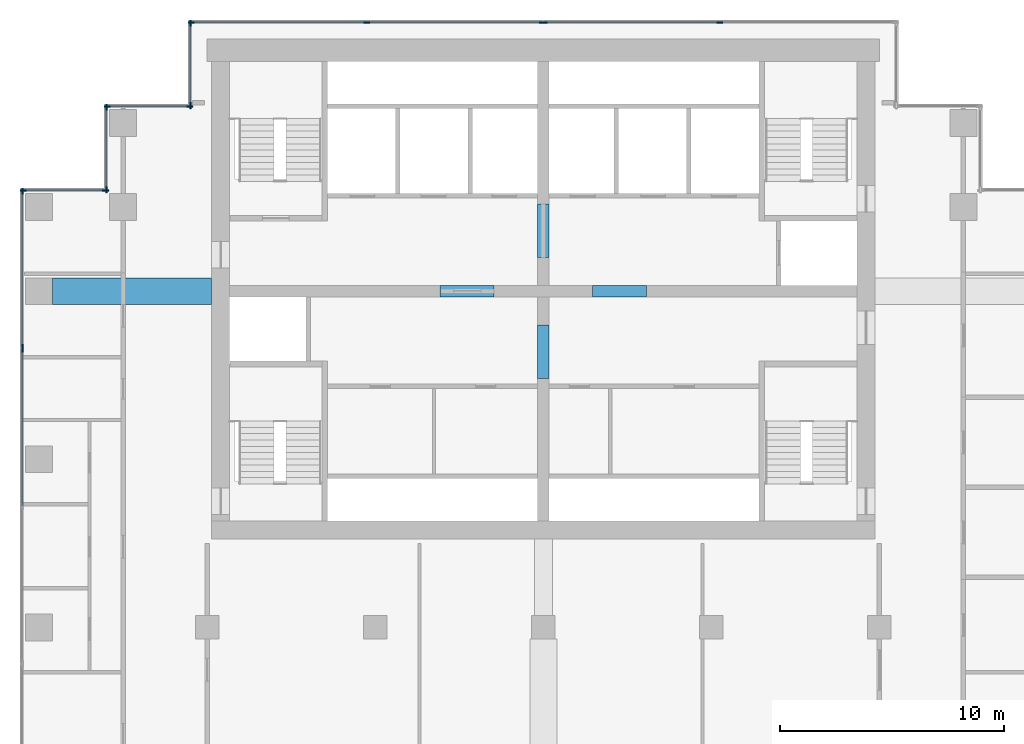
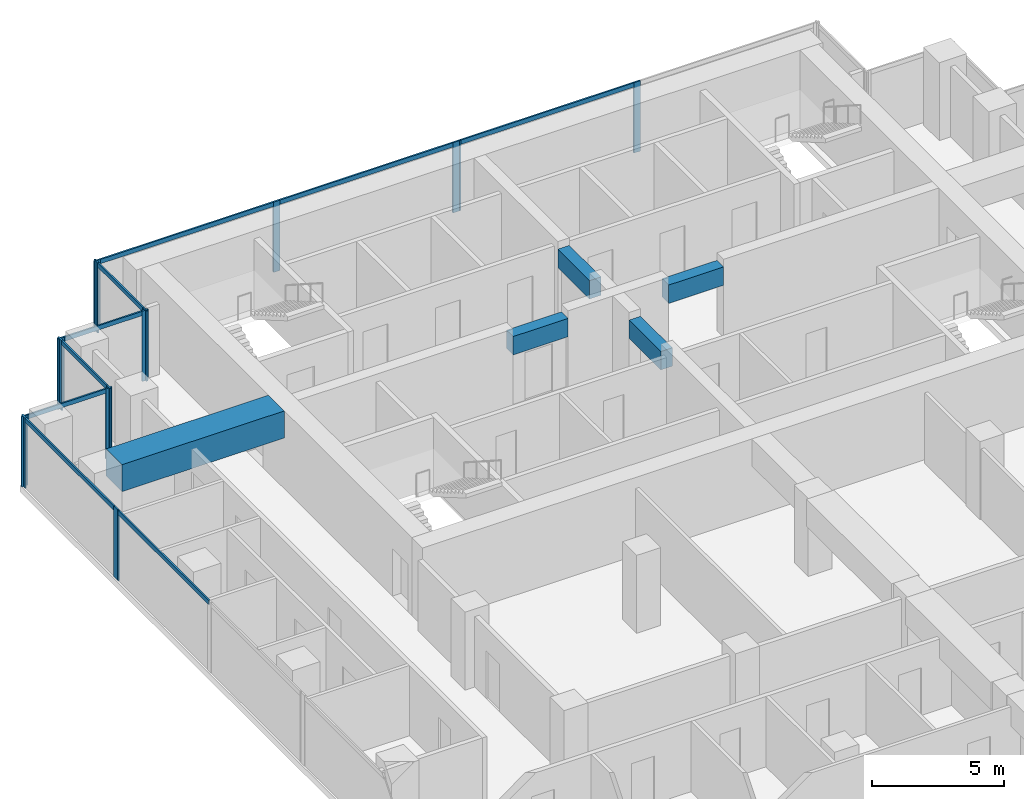
# One storey, part 4 of 10: 25 members, 5 beams, 8 elements without a shape of their own.
"""IFC4 building model written with IfcOpenShell, lengths in metres."""

from ifc_helpers import new_model, si_unit, direction, frame, origin, origin_2d, place, context, subcontext, project, spatial, rectangle, extrude, material, material_profile, profile_set, type_object, element, aggregate, save


model = new_model("IFC4")

# Units and contexts
model_context = context("Model", 3, precision=1e-05, world=origin(), true_north=direction((0.0, 1.0)))
body_context = subcontext(model_context, "Body", "Model", "MODEL_VIEW")
ifc_project = project(units=[si_unit("LENGTHUNIT", "METRE"), si_unit("AREAUNIT", "SQUARE_METRE"), si_unit("VOLUMEUNIT", "CUBIC_METRE"), si_unit("PLANEANGLEUNIT", "RADIAN"), si_unit("MASSUNIT", "GRAM", prefix="KILO")], contexts=[model_context])

# Site, building, storey
site_placement = place(None, origin())
site = spatial("IfcSite", under=ifc_project, at=site_placement, CompositionType="ELEMENT")
building_placement = place(site_placement, origin())
building = spatial("IfcBuilding", under=site, at=building_placement, Name="Pilkhan Gate Tower", CompositionType="ELEMENT")
storey_placement = place(building_placement, frame((0.0, 0.0, 180.10009765625)))
storey = spatial("IfcBuildingStorey", under=building, at=storey_placement, Name="L46", CompositionType="ELEMENT", Elevation=180.10009765625)

# Beams
ifc_material_1 = material(Name="Concrete C60/75", Category="concrete")
ifc_material_profile_1 = material_profile(ifc_material_1, rectangle(XDim=0.5, YDim=0.85009765625, at=origin_2d()), Name="RC 500x850")
ifc_profile_set_1 = profile_set([ifc_material_profile_1], Name="Concrete C60/75")
beam_type_1 = type_object("IfcBeamType", Name="Coupling beam CB85 RC 500x850 C60/75", PredefinedType="LINTEL", material=ifc_profile_set_1)
for number, where, z_axis, x_axis, name in (
    (1, (70.39990234375, 82.5, 2.824951171875), (1.0, 0.0, 0.0), (0.0, 1.0, 0.0), "Coupling beam 1 L46"),
    (2, (77.199951171875, 82.5, 2.824951171875), (1.0, 0.0, 0.0), (0.0, 1.0, 0.0), "Coupling beam 2 L46"),
):
    element("IfcBeam", number, at=place(storey_placement, frame(where, z_axis=z_axis, x_axis=x_axis)), inside=storey, type_object=beam_type_1, Name=name, PredefinedType="LINTEL", context=body_context, shape_type="SweptSolid", body=[
        extrude(rectangle(XDim=0.5, YDim=0.85009765625, at=origin_2d()), origin(), (0.0, 0.0, 1.0), 2.400146484375),
    ])
for number, where, z_axis, x_axis, name in (
    (3, (75.0, 78.60009765625, 2.824951171875), (0.0, 1.0, 0.0), (-1.0, 0.0, 0.0), "Coupling beam 3 L46"),
    (4, (75.0, 84.0, 2.824951171875), (0.0, 1.0, 0.0), (-1.0, 0.0, 0.0), "Coupling beam 4 L46"),
):
    element("IfcBeam", number, at=place(storey_placement, frame(where, z_axis=z_axis, x_axis=x_axis)), inside=storey, type_object=beam_type_1, Name=name, PredefinedType="LINTEL", context=body_context, shape_type="SweptSolid", body=[
        extrude(rectangle(XDim=0.5, YDim=0.85009765625, at=origin_2d()), origin(), (0.0, 0.0, 1.0), 2.39990234375),
    ])

# Curtain wall, members
ifc_material_2 = material(Name="Pale anodised aluminium, clear low-iron double glazing", Category="aluminium")
curtain_wall_type = type_object("IfcCurtainWallType", Name="Office unitised curtain wall CW-O1", PredefinedType="USERDEFINED", material=ifc_material_2)
curtain_wall_1_placement = place(storey_placement, origin())
curtain_wall_1 = element("IfcCurtainWall", 5, at=curtain_wall_1_placement, inside=storey, type_object=curtain_wall_type, Name="Office unitised curtain wall CW-O1 L46 N", ObjectType="UNITISED CURTAIN WALL", PredefinedType="USERDEFINED")
ifc_material_3 = material(Name="Pale anodised aluminium", Category="aluminium")
ifc_material_profile_2 = material_profile(ifc_material_3, rectangle(XDim=0.070068359375, YDim=0.27490234375, at=origin_2d()), Name="Mullion 275x70")
ifc_profile_set_2 = profile_set([ifc_material_profile_2], Name="Pale anodised aluminium")
member_type_1 = type_object("IfcMemberType", Name="Mullion CW-O1 275x70", PredefinedType="MULLION", material=ifc_profile_set_2)
member_1_placement = place(storey_placement, frame((59.284912109375, 94.5, 0.0), z_axis=(0.0, 0.0, 1.0), x_axis=(0.0, 1.0, 0.0)))
member_1 = element("IfcMember", 6, at=member_1_placement, type_object=member_type_1, Name="CW-O1 mullion 1", PredefinedType="MULLION", context=body_context, shape_type="SweptSolid", body=[
    extrude(rectangle(XDim=0.070068359375, YDim=0.27490234375, at=origin_2d()), origin(), (0.0, 0.0, 1.0), 3.25),
])
member_2_placement = place(storey_placement, frame((67.125, 94.5, 0.0), z_axis=(0.0, 0.0, 1.0), x_axis=(0.0, 1.0, 0.0)))
member_2 = element("IfcMember", 7, at=member_2_placement, type_object=member_type_1, Name="CW-O1 mullion 2", PredefinedType="MULLION", context=body_context, shape_type="SweptSolid", body=[
    extrude(rectangle(XDim=0.070068359375, YDim=0.27490234375, at=origin_2d()), origin(), (0.0, 0.0, 1.0), 3.25),
])
member_3_placement = place(storey_placement, frame((74.965087890625, 94.5, 0.0), z_axis=(0.0, 0.0, 1.0), x_axis=(0.0, 1.0, 0.0)))
member_3 = element("IfcMember", 8, at=member_3_placement, type_object=member_type_1, Name="CW-O1 mullion 3", PredefinedType="MULLION", context=body_context, shape_type="SweptSolid", body=[
    extrude(rectangle(XDim=0.070068359375, YDim=0.27490234375, at=origin_2d()), origin(), (0.0, 0.0, 1.0), 3.25),
])

curtain_wall_2_placement = place(storey_placement, origin())
curtain_wall_2 = element("IfcCurtainWall", 9, at=curtain_wall_2_placement, inside=storey, type_object=curtain_wall_type, Name="Office unitised curtain wall CW-O1 L46 N", ObjectType="UNITISED CURTAIN WALL", PredefinedType="USERDEFINED")
member_4_placement = place(storey_placement, frame((75.034912109375, 94.5, 0.0), z_axis=(0.0, 0.0, 1.0), x_axis=(0.0, 1.0, 0.0)))
member_4 = element("IfcMember", 10, at=member_4_placement, type_object=member_type_1, Name="CW-O1 mullion 1", PredefinedType="MULLION", context=body_context, shape_type="SweptSolid", body=[
    extrude(rectangle(XDim=0.070068359375, YDim=0.27490234375, at=origin_2d()), origin(), (0.0, 0.0, 1.0), 3.25),
])
member_5_placement = place(storey_placement, frame((82.875, 94.5, 0.0), z_axis=(0.0, 0.0, 1.0), x_axis=(0.0, 1.0, 0.0)))
member_5 = element("IfcMember", 11, at=member_5_placement, type_object=member_type_1, Name="CW-O1 mullion 2", PredefinedType="MULLION", context=body_context, shape_type="SweptSolid", body=[
    extrude(rectangle(XDim=0.070068359375, YDim=0.27490234375, at=origin_2d()), origin(), (0.0, 0.0, 1.0), 3.25),
])

curtain_wall_3_placement = place(storey_placement, origin())
curtain_wall_3 = element("IfcCurtainWall", 12, at=curtain_wall_3_placement, inside=storey, type_object=curtain_wall_type, Name="Office unitised curtain wall CW-O1 L46 W", ObjectType="UNITISED CURTAIN WALL", PredefinedType="USERDEFINED")
member_6_placement = place(storey_placement, frame((59.25, 90.784912109375, 0.0), z_axis=(0.0, 0.0, 1.0), x_axis=(-1.0, 0.0, 0.0)))
member_6 = element("IfcMember", 13, at=member_6_placement, type_object=member_type_1, Name="CW-O1 mullion 1", PredefinedType="MULLION", context=body_context, shape_type="SweptSolid", body=[
    extrude(rectangle(XDim=0.070068359375, YDim=0.27490234375, at=origin_2d()), origin(), (0.0, 0.0, 1.0), 3.25),
])
member_7_placement = place(storey_placement, frame((59.25, 94.465087890625, 0.0), z_axis=(0.0, 0.0, 1.0), x_axis=(-1.0, 0.0, 0.0)))
member_7 = element("IfcMember", 14, at=member_7_placement, type_object=member_type_1, Name="CW-O1 mullion 2", PredefinedType="MULLION", context=body_context, shape_type="SweptSolid", body=[
    extrude(rectangle(XDim=0.070068359375, YDim=0.27490234375, at=origin_2d()), origin(), (0.0, 0.0, 1.0), 3.25),
])

curtain_wall_4_placement = place(storey_placement, origin())
curtain_wall_4 = element("IfcCurtainWall", 15, at=curtain_wall_4_placement, inside=storey, type_object=curtain_wall_type, Name="Office unitised curtain wall CW-O1 L46 N", ObjectType="UNITISED CURTAIN WALL", PredefinedType="USERDEFINED")
member_8_placement = place(storey_placement, frame((55.534912109375, 90.75, 0.0), z_axis=(0.0, 0.0, 1.0), x_axis=(0.0, 1.0, 0.0)))
member_8 = element("IfcMember", 16, at=member_8_placement, type_object=member_type_1, Name="CW-O1 mullion 1", PredefinedType="MULLION", context=body_context, shape_type="SweptSolid", body=[
    extrude(rectangle(XDim=0.070068359375, YDim=0.27490234375, at=origin_2d()), origin(), (0.0, 0.0, 1.0), 3.25),
])
member_9_placement = place(storey_placement, frame((59.215087890625, 90.75, 0.0), z_axis=(0.0, 0.0, 1.0), x_axis=(0.0, 1.0, 0.0)))
member_9 = element("IfcMember", 17, at=member_9_placement, type_object=member_type_1, Name="CW-O1 mullion 2", PredefinedType="MULLION", context=body_context, shape_type="SweptSolid", body=[
    extrude(rectangle(XDim=0.070068359375, YDim=0.27490234375, at=origin_2d()), origin(), (0.0, 0.0, 1.0), 3.25),
])

curtain_wall_5_placement = place(storey_placement, origin())
curtain_wall_5 = element("IfcCurtainWall", 18, at=curtain_wall_5_placement, inside=storey, type_object=curtain_wall_type, Name="Office unitised curtain wall CW-O1 L46 W", ObjectType="UNITISED CURTAIN WALL", PredefinedType="USERDEFINED")
member_10_placement = place(storey_placement, frame((55.5, 87.034912109375, 0.0), z_axis=(0.0, 0.0, 1.0), x_axis=(-1.0, 0.0, 0.0)))
member_10 = element("IfcMember", 19, at=member_10_placement, type_object=member_type_1, Name="CW-O1 mullion 1", PredefinedType="MULLION", context=body_context, shape_type="SweptSolid", body=[
    extrude(rectangle(XDim=0.070068359375, YDim=0.27490234375, at=origin_2d()), origin(), (0.0, 0.0, 1.0), 3.25),
])
member_11_placement = place(storey_placement, frame((55.5, 90.715087890625, 0.0), z_axis=(0.0, 0.0, 1.0), x_axis=(-1.0, 0.0, 0.0)))
member_11 = element("IfcMember", 20, at=member_11_placement, type_object=member_type_1, Name="CW-O1 mullion 2", PredefinedType="MULLION", context=body_context, shape_type="SweptSolid", body=[
    extrude(rectangle(XDim=0.070068359375, YDim=0.27490234375, at=origin_2d()), origin(), (0.0, 0.0, 1.0), 3.25),
])

curtain_wall_6_placement = place(storey_placement, origin())
curtain_wall_6 = element("IfcCurtainWall", 21, at=curtain_wall_6_placement, inside=storey, type_object=curtain_wall_type, Name="Office unitised curtain wall CW-O1 L46 N", ObjectType="UNITISED CURTAIN WALL", PredefinedType="USERDEFINED")
member_12_placement = place(storey_placement, frame((51.784912109375, 87.0, 0.0), z_axis=(0.0, 0.0, 1.0), x_axis=(0.0, 1.0, 0.0)))
member_12 = element("IfcMember", 22, at=member_12_placement, type_object=member_type_1, Name="CW-O1 mullion 1", PredefinedType="MULLION", context=body_context, shape_type="SweptSolid", body=[
    extrude(rectangle(XDim=0.070068359375, YDim=0.27490234375, at=origin_2d()), origin(), (0.0, 0.0, 1.0), 3.25),
])
member_13_placement = place(storey_placement, frame((55.465087890625, 87.0, 0.0), z_axis=(0.0, 0.0, 1.0), x_axis=(0.0, 1.0, 0.0)))
member_13 = element("IfcMember", 23, at=member_13_placement, type_object=member_type_1, Name="CW-O1 mullion 2", PredefinedType="MULLION", context=body_context, shape_type="SweptSolid", body=[
    extrude(rectangle(XDim=0.070068359375, YDim=0.27490234375, at=origin_2d()), origin(), (0.0, 0.0, 1.0), 3.25),
])

# Curtain wall, member
curtain_wall_7_placement = place(storey_placement, origin())
curtain_wall_7 = element("IfcCurtainWall", 24, at=curtain_wall_7_placement, inside=storey, type_object=curtain_wall_type, Name="Office unitised curtain wall CW-O1 L46 W", ObjectType="UNITISED CURTAIN WALL", PredefinedType="USERDEFINED")
member_14_placement = place(storey_placement, frame((51.75, 79.9150390625, 0.0), z_axis=(0.0, 0.0, 1.0), x_axis=(-1.0, 0.0, 0.0)))
member_14 = element("IfcMember", 25, at=member_14_placement, type_object=member_type_1, Name="CW-O1 mullion 3", PredefinedType="MULLION", context=body_context, shape_type="SweptSolid", body=[
    extrude(rectangle(XDim=0.070068359375, YDim=0.27490234375, at=origin_2d()), origin(), (0.0, 0.0, 1.0), 3.25),
])

# Curtain wall, members
curtain_wall_8_placement = place(storey_placement, origin())
curtain_wall_8 = element("IfcCurtainWall", 26, at=curtain_wall_8_placement, inside=storey, type_object=curtain_wall_type, Name="Office unitised curtain wall CW-O1 L46 W", ObjectType="UNITISED CURTAIN WALL", PredefinedType="USERDEFINED")
member_15_placement = place(storey_placement, frame((51.75, 79.985107421875, 0.0), z_axis=(0.0, 0.0, 1.0), x_axis=(-1.0, 0.0, 0.0)))
member_15 = element("IfcMember", 27, at=member_15_placement, type_object=member_type_1, Name="CW-O1 mullion 1", PredefinedType="MULLION", context=body_context, shape_type="SweptSolid", body=[
    extrude(rectangle(XDim=0.070068359375, YDim=0.27490234375, at=origin_2d()), origin(), (0.0, 0.0, 1.0), 3.25),
])
member_16_placement = place(storey_placement, frame((51.75, 86.965087890625, 0.0), z_axis=(0.0, 0.0, 1.0), x_axis=(-1.0, 0.0, 0.0)))
member_16 = element("IfcMember", 28, at=member_16_placement, type_object=member_type_1, Name="CW-O1 mullion 2", PredefinedType="MULLION", context=body_context, shape_type="SweptSolid", body=[
    extrude(rectangle(XDim=0.070068359375, YDim=0.27490234375, at=origin_2d()), origin(), (0.0, 0.0, 1.0), 3.25),
])

# Beam
ifc_material_profile_3 = material_profile(ifc_material_1, rectangle(XDim=1.199951171875, YDim=1.25, at=origin_2d()), Name="RC 1200x1250")
ifc_profile_set_3 = profile_set([ifc_material_profile_3], Name="Concrete C60/75")
beam_type_2 = type_object("IfcBeamType", Name="Outrigger support beam OB3 RC 1200x1250 C60/75", PredefinedType="BEAM", material=ifc_profile_set_3)
beam_placement = place(storey_placement, frame((53.10009765625, 82.5, 2.974853515625), z_axis=(1.0, 0.0, 0.0), x_axis=(0.0, 1.0, 0.0)))
element("IfcBeam", 29, at=beam_placement, inside=storey, type_object=beam_type_2, Name="Outrigger support beam 1 L47", PredefinedType="BEAM", context=body_context, shape_type="SweptSolid", body=[
    extrude(rectangle(XDim=1.199951171875, YDim=1.25, at=origin_2d()), origin(), (0.0, 0.0, 1.0), 7.099853515625),
])

# Member
ifc_material_profile_4 = material_profile(ifc_material_3, rectangle(XDim=0.070068359375, YDim=0.199951171875, at=origin_2d()), Name="Transom 200x70")
ifc_profile_set_4 = profile_set([ifc_material_profile_4], Name="Pale anodised aluminium")
member_type_2 = type_object("IfcMemberType", Name="Transom CW-O1 200x70", PredefinedType="USERDEFINED", material=ifc_profile_set_4)
member_17_placement = place(storey_placement, frame((59.320068359375, 94.5, 3.14990234375), z_axis=(1.0, 0.0, 0.0), x_axis=(0.0, 1.0, 0.0)))
member_17 = element("IfcMember", 30, at=member_17_placement, type_object=member_type_2, Name="CW-O1 transom 1", ObjectType="TRANSOM", PredefinedType="USERDEFINED", context=body_context, shape_type="SweptSolid", body=[
    extrude(rectangle(XDim=0.070068359375, YDim=0.199951171875, at=origin_2d()), origin(), (0.0, 0.0, 1.0), 7.77001953125),
])

member_18_placement = place(storey_placement, frame((67.159912109375, 94.5, 3.14990234375), z_axis=(1.0, 0.0, 0.0), x_axis=(0.0, 1.0, 0.0)))
member_18 = element("IfcMember", 31, at=member_18_placement, type_object=member_type_2, Name="CW-O1 transom 2", ObjectType="TRANSOM", PredefinedType="USERDEFINED", context=body_context, shape_type="SweptSolid", body=[
    extrude(rectangle(XDim=0.070068359375, YDim=0.199951171875, at=origin_2d()), origin(), (0.0, 0.0, 1.0), 7.77001953125),
])

aggregate(curtain_wall_1, [member_1, member_2, member_3, member_17, member_18])

member_19_placement = place(storey_placement, frame((75.070068359375, 94.5, 3.14990234375), z_axis=(1.0, 0.0, 0.0), x_axis=(0.0, 1.0, 0.0)))
member_19 = element("IfcMember", 32, at=member_19_placement, type_object=member_type_2, Name="CW-O1 transom 1", ObjectType="TRANSOM", PredefinedType="USERDEFINED", context=body_context, shape_type="SweptSolid", body=[
    extrude(rectangle(XDim=0.070068359375, YDim=0.199951171875, at=origin_2d()), origin(), (0.0, 0.0, 1.0), 7.77001953125),
])

aggregate(curtain_wall_2, [member_4, member_5, member_19])

member_20_placement = place(storey_placement, frame((59.25, 90.820068359375, 3.14990234375), z_axis=(0.0, 1.0, 0.0), x_axis=(-1.0, 0.0, 0.0)))
member_20 = element("IfcMember", 33, at=member_20_placement, type_object=member_type_2, Name="CW-O1 transom 1", ObjectType="TRANSOM", PredefinedType="USERDEFINED", context=body_context, shape_type="SweptSolid", body=[
    extrude(rectangle(XDim=0.070068359375, YDim=0.199951171875, at=origin_2d()), origin(), (0.0, 0.0, 1.0), 3.60986328125),
])

aggregate(curtain_wall_3, [member_6, member_7, member_20])

member_21_placement = place(storey_placement, frame((55.570068359375, 90.75, 3.14990234375), z_axis=(1.0, 0.0, 0.0), x_axis=(0.0, 1.0, 0.0)))
member_21 = element("IfcMember", 34, at=member_21_placement, type_object=member_type_2, Name="CW-O1 transom 1", ObjectType="TRANSOM", PredefinedType="USERDEFINED", context=body_context, shape_type="SweptSolid", body=[
    extrude(rectangle(XDim=0.070068359375, YDim=0.199951171875, at=origin_2d()), origin(), (0.0, 0.0, 1.0), 3.60986328125),
])

aggregate(curtain_wall_4, [member_8, member_9, member_21])

member_22_placement = place(storey_placement, frame((55.5, 87.070068359375, 3.14990234375), z_axis=(0.0, 1.0, 0.0), x_axis=(-1.0, 0.0, 0.0)))
member_22 = element("IfcMember", 35, at=member_22_placement, type_object=member_type_2, Name="CW-O1 transom 1", ObjectType="TRANSOM", PredefinedType="USERDEFINED", context=body_context, shape_type="SweptSolid", body=[
    extrude(rectangle(XDim=0.070068359375, YDim=0.199951171875, at=origin_2d()), origin(), (0.0, 0.0, 1.0), 3.60986328125),
])

aggregate(curtain_wall_5, [member_10, member_11, member_22])

member_23_placement = place(storey_placement, frame((51.820068359375, 87.0, 3.14990234375), z_axis=(1.0, 0.0, 0.0), x_axis=(0.0, 1.0, 0.0)))
member_23 = element("IfcMember", 36, at=member_23_placement, type_object=member_type_2, Name="CW-O1 transom 1", ObjectType="TRANSOM", PredefinedType="USERDEFINED", context=body_context, shape_type="SweptSolid", body=[
    extrude(rectangle(XDim=0.070068359375, YDim=0.199951171875, at=origin_2d()), origin(), (0.0, 0.0, 1.0), 3.60986328125),
])

aggregate(curtain_wall_6, [member_12, member_13, member_23])

member_24_placement = place(storey_placement, frame((51.75, 72.93505859375, 3.14990234375), z_axis=(0.0, 1.0, 0.0), x_axis=(-1.0, 0.0, 0.0)))
member_24 = element("IfcMember", 37, at=member_24_placement, type_object=member_type_2, Name="CW-O1 transom 2", ObjectType="TRANSOM", PredefinedType="USERDEFINED", context=body_context, shape_type="SweptSolid", body=[
    extrude(rectangle(XDim=0.070068359375, YDim=0.199951171875, at=origin_2d()), origin(), (0.0, 0.0, 1.0), 6.94482421875),
])

aggregate(curtain_wall_7, [member_14, member_24])

member_25_placement = place(storey_placement, frame((51.75, 80.02001953125, 3.14990234375), z_axis=(0.0, 1.0, 0.0), x_axis=(-1.0, 0.0, 0.0)))
member_25 = element("IfcMember", 38, at=member_25_placement, type_object=member_type_2, Name="CW-O1 transom 1", ObjectType="TRANSOM", PredefinedType="USERDEFINED", context=body_context, shape_type="SweptSolid", body=[
    extrude(rectangle(XDim=0.070068359375, YDim=0.199951171875, at=origin_2d()), origin(), (0.0, 0.0, 1.0), 6.909912109375),
])

aggregate(curtain_wall_8, [member_15, member_16, member_25])

save(model, "model.ifc")
